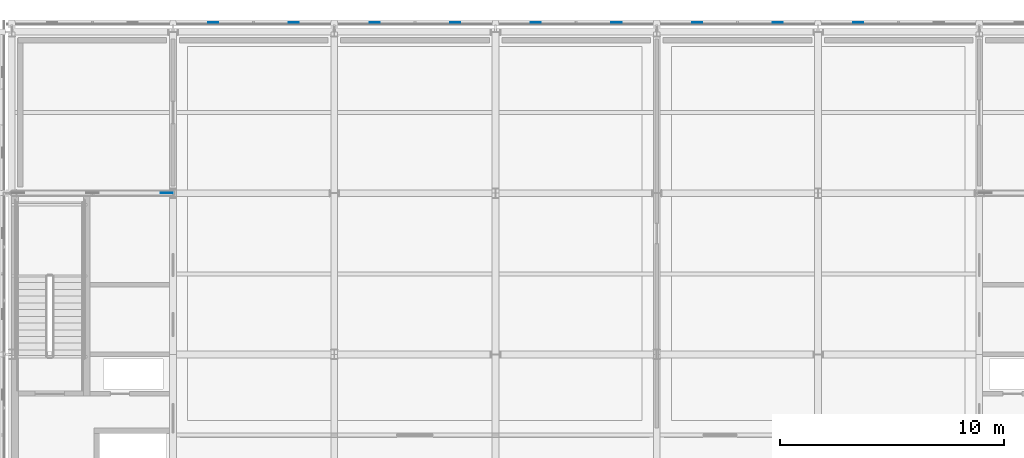
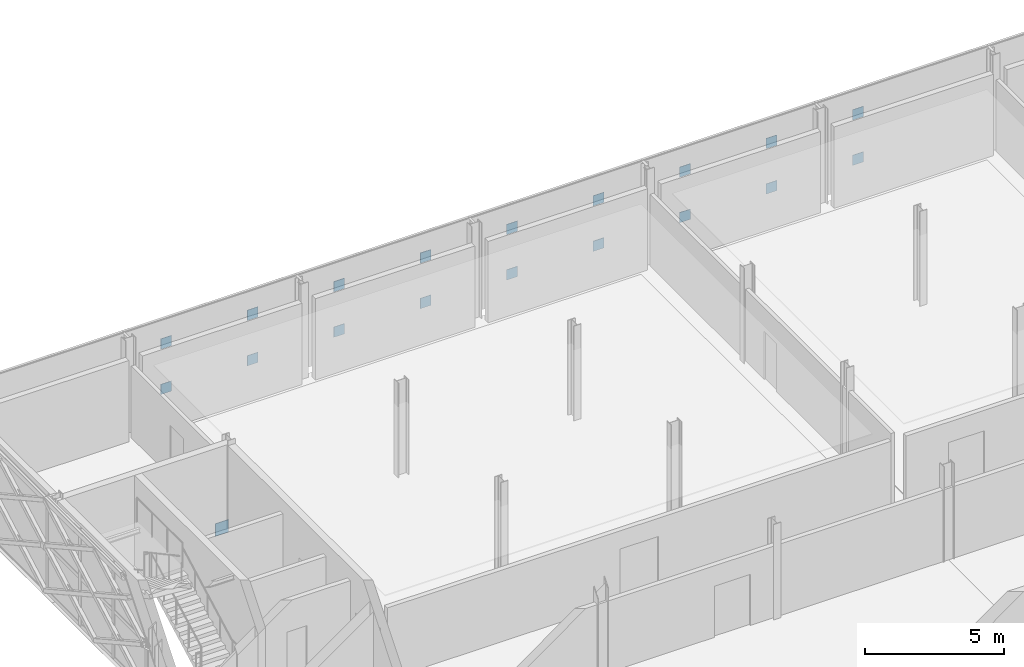
# One storey, part 110 of 146: 19 plates.
"""IFC4 building model written with IfcOpenShell, lengths in metres."""

from ifc_helpers import new_model, si_unit, direction, frame, origin, origin_2d, place, context, subcontext, project, spatial, rectangle, extrude, material, layer, layer_set, type_object, element, save


model = new_model("IFC4")

# Units and contexts
model_context = context("Model", 3, precision=1e-05, world=origin(), true_north=direction((0.0, 1.0)))
body_context = subcontext(model_context, "Body", "Model", "MODEL_VIEW")
ifc_project = project(units=[si_unit("LENGTHUNIT", "METRE"), si_unit("AREAUNIT", "SQUARE_METRE"), si_unit("VOLUMEUNIT", "CUBIC_METRE"), si_unit("PLANEANGLEUNIT", "RADIAN"), si_unit("MASSUNIT", "GRAM", prefix="KILO")], contexts=[model_context])

# Site, building, storey
site_placement = place(None, origin())
site = spatial("IfcSite", under=ifc_project, at=site_placement, CompositionType="ELEMENT")
building_placement = place(site_placement, origin())
building = spatial("IfcBuilding", under=site, at=building_placement, Name="Zlatovets Crest Museum", CompositionType="ELEMENT")
storey_placement = place(building_placement, frame((0.0, 0.0, 4.5)))
storey = spatial("IfcBuildingStorey", under=building, at=storey_placement, Name="L01", CompositionType="ELEMENT", Elevation=4.5)

# Plates
ifc_material = material(Name="Structural steel S355J2", Category="steel")
ifc_layer_1 = layer(ifc_material, 0.02490234375)
ifc_layer_set_1 = layer_set([ifc_layer_1], Name="Structural steel S355J2")
plate_type_1 = type_object("IfcPlateType", Name="Gusset_GP-01", PredefinedType="USERDEFINED", material=ifc_layer_set_1)
plate_placement = place(storey_placement, frame((64.52001953125, 108.0, 0.0048828125), z_axis=(0.0, 0.0, 1.0), x_axis=(1.0, 0.0, 0.0)))
element("IfcPlate", 1, at=plate_placement, inside=storey, type_object=plate_type_1, Name="V1 L01 Brace End Gusset Plate GP-01", ObjectType="GUSSET", PredefinedType="USERDEFINED", context=body_context, shape_type="SweptSolid", body=[
    extrude(rectangle(XDim=0.550048828125, YDim=0.02490234375, at=origin_2d()), origin(), (0.0, 0.0, 1.0), 0.550048828125),
])
ifc_layer_2 = layer(ifc_material, 0.02001953125)
ifc_layer_set_2 = layer_set([ifc_layer_2], Name="Structural steel S355J2")
plate_type_2 = type_object("IfcPlateType", Name="Gusset_GP-04", PredefinedType="USERDEFINED", material=ifc_layer_set_2)
for number, where, z_axis, x_axis, name in (
    (2, (95.39990234375, 115.6201171875, 0.875), (0.0, 0.0, 1.0), (1.0, 0.0, 0.0), "X-Brace Crossing Node Gusset Plate GP-04"),
    (3, (95.39990234375, 115.6201171875, 2.875), (0.0, 0.0, 1.0), (1.0, 0.0, 0.0), "X-Brace Crossing Node Gusset Plate GP-04"),
    (4, (91.800048828125, 115.6201171875, 0.875), (0.0, 0.0, 1.0), (1.0, 0.0, 0.0), "X-Brace Crossing Node Gusset Plate GP-04"),
    (5, (88.199951171875, 115.6201171875, 0.875), (0.0, 0.0, 1.0), (1.0, 0.0, 0.0), "X-Brace Crossing Node Gusset Plate GP-04"),
    (6, (91.800048828125, 115.6201171875, 2.875), (0.0, 0.0, 1.0), (1.0, 0.0, 0.0), "X-Brace Crossing Node Gusset Plate GP-04"),
    (7, (88.199951171875, 115.6201171875, 2.875), (0.0, 0.0, 1.0), (1.0, 0.0, 0.0), "X-Brace Crossing Node Gusset Plate GP-04"),
    (8, (84.60009765625, 115.6201171875, 0.875), (0.0, 0.0, 1.0), (1.0, 0.0, 0.0), "X-Brace Crossing Node Gusset Plate GP-04"),
    (9, (81.0, 115.6201171875, 0.875), (0.0, 0.0, 1.0), (1.0, 0.0, 0.0), "X-Brace Crossing Node Gusset Plate GP-04"),
    (10, (84.60009765625, 115.6201171875, 2.875), (0.0, 0.0, 1.0), (1.0, 0.0, 0.0), "X-Brace Crossing Node Gusset Plate GP-04"),
    (11, (81.0, 115.6201171875, 2.875), (0.0, 0.0, 1.0), (1.0, 0.0, 0.0), "X-Brace Crossing Node Gusset Plate GP-04"),
    (12, (77.39990234375, 115.6201171875, 0.875), (0.0, 0.0, 1.0), (1.0, 0.0, 0.0), "X-Brace Crossing Node Gusset Plate GP-04"),
    (13, (73.800048828125, 115.6201171875, 0.875), (0.0, 0.0, 1.0), (1.0, 0.0, 0.0), "X-Brace Crossing Node Gusset Plate GP-04"),
    (14, (77.39990234375, 115.6201171875, 2.875), (0.0, 0.0, 1.0), (1.0, 0.0, 0.0), "X-Brace Crossing Node Gusset Plate GP-04"),
    (15, (73.800048828125, 115.6201171875, 2.875), (0.0, 0.0, 1.0), (1.0, 0.0, 0.0), "X-Brace Crossing Node Gusset Plate GP-04"),
    (16, (70.199951171875, 115.6201171875, 0.875), (0.0, 0.0, 1.0), (1.0, 0.0, 0.0), "X-Brace Crossing Node Gusset Plate GP-04"),
    (17, (66.60009765625, 115.6201171875, 0.875), (0.0, 0.0, 1.0), (1.0, 0.0, 0.0), "X-Brace Crossing Node Gusset Plate GP-04"),
    (18, (70.199951171875, 115.6201171875, 2.875), (0.0, 0.0, 1.0), (1.0, 0.0, 0.0), "X-Brace Crossing Node Gusset Plate GP-04"),
    (19, (66.60009765625, 115.6201171875, 2.875), (0.0, 0.0, 1.0), (1.0, 0.0, 0.0), "X-Brace Crossing Node Gusset Plate GP-04"),
):
    element("IfcPlate", number, at=place(storey_placement, frame(where, z_axis=z_axis, x_axis=x_axis)), inside=storey, type_object=plate_type_2, Name=name, ObjectType="GUSSET", PredefinedType="USERDEFINED", context=body_context, shape_type="SweptSolid", body=[
        extrude(rectangle(XDim=0.449951171875, YDim=0.02001953125, at=origin_2d()), origin(), (0.0, 0.0, 1.0), 0.449951171875),
    ])

save(model, "model.ifc")
